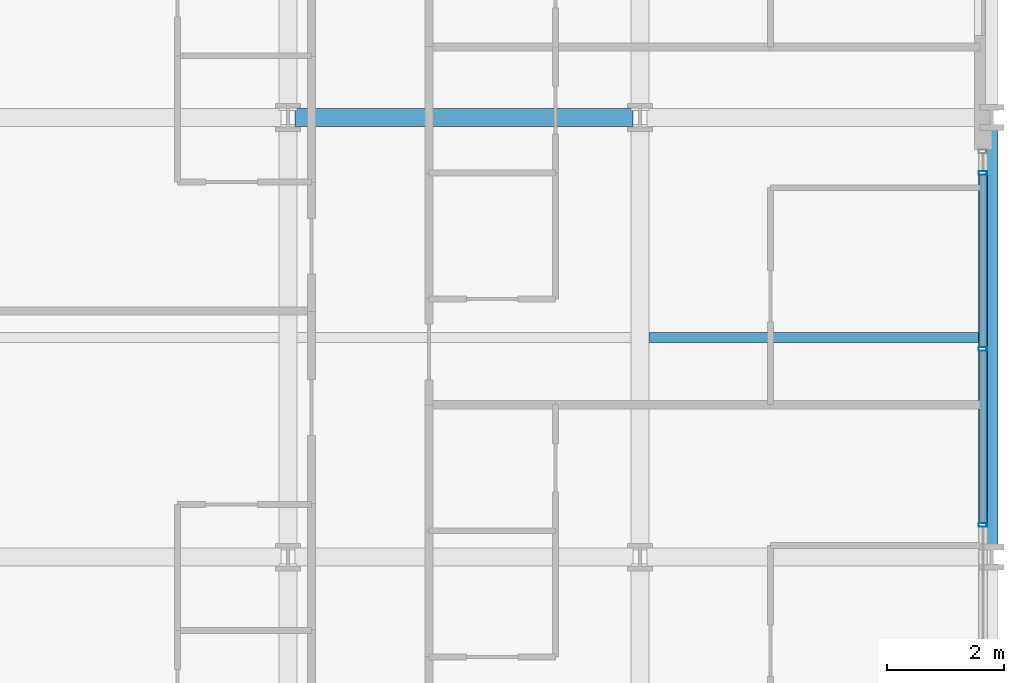
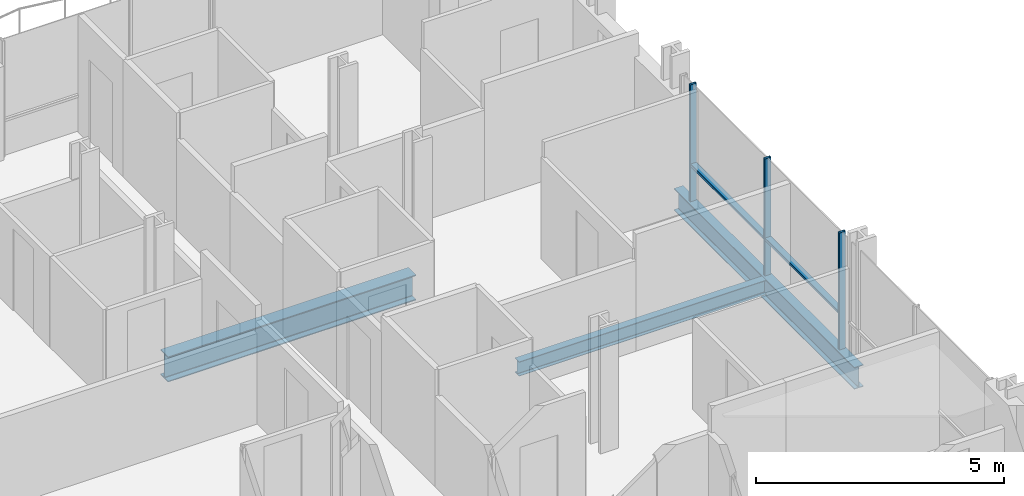
# One storey, part 19 of 40: 5 members, 3 beams, 1 element without a shape of its own.
"""IFC4 building model written with IfcOpenShell, lengths in metres."""

from ifc_helpers import new_model, si_unit, direction, frame, origin, origin_2d, place, context, subcontext, project, spatial, hollow_rectangle, i_section, extrude, material, layer, layer_set, material_profile, profile_set, type_object, element, aggregate, save


model = new_model("IFC4")

# Units and contexts
model_context = context("Model", 3, precision=1e-05, world=origin(), true_north=direction((0.0, 1.0)))
body_context = subcontext(model_context, "Body", "Model", "MODEL_VIEW")
ifc_project = project(units=[si_unit("LENGTHUNIT", "METRE"), si_unit("AREAUNIT", "SQUARE_METRE"), si_unit("VOLUMEUNIT", "CUBIC_METRE"), si_unit("PLANEANGLEUNIT", "RADIAN"), si_unit("MASSUNIT", "GRAM", prefix="KILO")], contexts=[model_context])

# Site, building, storey
site_placement = place(None, origin())
site = spatial("IfcSite", under=ifc_project, at=site_placement, CompositionType="ELEMENT")
building_placement = place(site_placement, origin())
building = spatial("IfcBuilding", under=site, at=building_placement, Name="Brevholm Reach", CompositionType="ELEMENT")
storey_placement = place(building_placement, frame((0.0, 0.0, 31.10009765625)))
storey = spatial("IfcBuildingStorey", under=building, at=storey_placement, Name="L07", CompositionType="ELEMENT", Elevation=31.10009765625)

# Beams
ifc_material_1 = material(Name="Structural Steel S355J2", Category="steel")
ifc_material_profile_1 = material_profile(ifc_material_1, i_section(OverallWidth=0.17138671875, OverallDepth=0.35498046875, WebThickness=0.00732421875, FlangeThickness=0.011474609375, FilletRadius=0.01025390625, at=origin_2d()), Name="UKB 356x171x51")
ifc_profile_set_1 = profile_set([ifc_material_profile_1], Name="Structural Steel S355J2")
beam_type_1 = type_object("IfcBeamType", Name="BM-B356", PredefinedType="BEAM", material=ifc_profile_set_1)
beam_1_placement = place(storey_placement, frame((54.153564453125, 19.75, -0.40771484375), z_axis=(1.0, 0.0, 0.0), x_axis=(0.0, 1.0, 0.0)))
element("IfcBeam", 1, at=beam_1_placement, inside=storey, type_object=beam_type_1, Name="L07 Composite Secondary Floor Beam", PredefinedType="BEAM", context=body_context, shape_type="SweptSolid", body=[
    extrude(i_section(OverallWidth=0.17138671875, OverallDepth=0.35498046875, WebThickness=0.00732421875, FlangeThickness=0.011474609375, FilletRadius=0.01025390625, at=origin_2d()), origin(), (0.0, 0.0, 1.0), 5.740966796875),
])
ifc_material_2 = material(Name="Structural Steel S355J2", Category="steel")
ifc_material_profile_2 = material_profile(ifc_material_2, i_section(OverallWidth=0.210693359375, OverallDepth=0.53955078125, WebThickness=0.01171875, FlangeThickness=0.018798828125, FilletRadius=0.0126953125, at=origin_2d()), Name="UKB 533x210x109")
ifc_profile_set_2 = profile_set([ifc_material_profile_2], Name="Structural Steel S355J2")
beam_type_2 = type_object("IfcBeamType", Name="BM-SP539", PredefinedType="SPANDREL", material=ifc_profile_set_2)
beam_2_placement = place(storey_placement, frame((60.0, 16.1201171875, -0.499755859375), z_axis=(0.0, 1.0, 0.0), x_axis=(-1.0, 0.0, 0.0)))
element("IfcBeam", 2, at=beam_2_placement, inside=storey, type_object=beam_type_2, Name="L07 SP-01B Framing Beam", PredefinedType="SPANDREL", context=body_context, shape_type="SweptSolid", body=[
    extrude(i_section(OverallWidth=0.210693359375, OverallDepth=0.53955078125, WebThickness=0.01171875, FlangeThickness=0.018798828125, FilletRadius=0.0126953125, at=origin_2d()), origin(), (0.0, 0.0, 1.0), 7.259765625),
])
ifc_material_3 = material(Name="Structural Steel S355J2", Category="steel")
ifc_material_profile_3 = material_profile(ifc_material_3, i_section(OverallWidth=0.30712890625, OverallDepth=0.6201171875, WebThickness=0.01416015625, FlangeThickness=0.023681640625, FilletRadius=0.0166015625, at=origin_2d()), Name="UKB 610x305x179")
ifc_profile_set_3 = profile_set([ifc_material_profile_3], Name="Structural Steel S355J2")
beam_type_3 = type_object("IfcBeamType", Name="BM-UKB610H", PredefinedType="USERDEFINED", material=ifc_profile_set_3)
beam_3_placement = place(storey_placement, frame((48.1201171875, 23.5, -0.540283203125), z_axis=(1.0, 0.0, 0.0), x_axis=(0.0, 1.0, 0.0)))
element("IfcBeam", 3, at=beam_3_placement, inside=storey, type_object=beam_type_3, Name="L07 G-06 Framing Beam", ObjectType="GIRDER", PredefinedType="USERDEFINED", context=body_context, shape_type="SweptSolid", body=[
    extrude(i_section(OverallWidth=0.30712890625, OverallDepth=0.6201171875, WebThickness=0.01416015625, FlangeThickness=0.023681640625, FilletRadius=0.0166015625, at=origin_2d()), origin(), (0.0, 0.0, 1.0), 5.759765625),
])

# Curtain wall, members
ifc_material_4 = material(Name="Dark Anodised Aluminium 6063-T6 and Solar-Control Glass", Category="aluminium")
ifc_layer = layer(ifc_material_4, 0.14990234375)
ifc_layer_set = layer_set([ifc_layer], Name="Dark Anodised Aluminium 6063-T6 and Solar-Control Glass")
curtain_wall_type = type_object("IfcCurtainWallType", Name="CW-01", PredefinedType="NOTDEFINED", material=ifc_layer_set)
curtain_wall_placement = place(storey_placement, origin())
curtain_wall = element("IfcCurtainWall", 4, at=curtain_wall_placement, inside=storey, type_object=curtain_wall_type, Name="L07 Curtain Wall CW-01", PredefinedType="NOTDEFINED")
ifc_material_5 = material(Name="Dark Anodised Aluminium 6063-T6", Category="aluminium")
ifc_material_profile_4 = material_profile(ifc_material_5, hollow_rectangle(XDim=0.06494140625, YDim=0.14990234375, WallThickness=0.0048828125, InnerFilletRadius=0.0048828125, OuterFilletRadius=0.010009765625, at=origin_2d()), Name="RHS 150x65x5")
ifc_profile_set_4 = profile_set([ifc_material_profile_4], Name="Dark Anodised Aluminium 6063-T6")
member_type_1 = type_object("IfcMemberType", Name="CWM-150", PredefinedType="MULLION", material=ifc_profile_set_4)
member_1_placement = place(storey_placement, frame((59.85009765625, 16.550048828125, 0.0), z_axis=(0.0, 0.0, 1.0), x_axis=(0.0, 1.0, 0.0)))
member_1 = element("IfcMember", 5, at=member_1_placement, type_object=member_type_1, Name="CM-150 Mullion 3", PredefinedType="MULLION", context=body_context, shape_type="SweptSolid", body=[
    extrude(hollow_rectangle(XDim=0.06494140625, YDim=0.14990234375, WallThickness=0.0048828125, InnerFilletRadius=0.0048828125, OuterFilletRadius=0.010009765625, at=origin_2d()), origin(), (0.0, 0.0, 1.0), 2.869873046875),
])
member_2_placement = place(storey_placement, frame((59.85009765625, 19.550048828125, 0.0), z_axis=(0.0, 0.0, 1.0), x_axis=(0.0, 1.0, 0.0)))
member_2 = element("IfcMember", 6, at=member_2_placement, type_object=member_type_1, Name="CM-150 Mullion 4", PredefinedType="MULLION", context=body_context, shape_type="SweptSolid", body=[
    extrude(hollow_rectangle(XDim=0.06494140625, YDim=0.14990234375, WallThickness=0.0048828125, InnerFilletRadius=0.0048828125, OuterFilletRadius=0.010009765625, at=origin_2d()), origin(), (0.0, 0.0, 1.0), 2.869873046875),
])
member_3_placement = place(storey_placement, frame((59.85009765625, 22.550048828125, 0.0), z_axis=(0.0, 0.0, 1.0), x_axis=(0.0, 1.0, 0.0)))
member_3 = element("IfcMember", 7, at=member_3_placement, type_object=member_type_1, Name="CM-150 Mullion 5", PredefinedType="MULLION", context=body_context, shape_type="SweptSolid", body=[
    extrude(hollow_rectangle(XDim=0.06494140625, YDim=0.14990234375, WallThickness=0.0048828125, InnerFilletRadius=0.0048828125, OuterFilletRadius=0.010009765625, at=origin_2d()), origin(), (0.0, 0.0, 1.0), 2.869873046875),
])
ifc_material_6 = material(Name="Dark Anodised Aluminium 6063-T6", Category="aluminium")
ifc_material_profile_5 = material_profile(ifc_material_6, hollow_rectangle(XDim=0.06494140625, YDim=0.14990234375, WallThickness=0.0048828125, InnerFilletRadius=0.0048828125, OuterFilletRadius=0.010009765625, at=origin_2d()), Name="RHS 150x65x5")
ifc_profile_set_5 = profile_set([ifc_material_profile_5], Name="Dark Anodised Aluminium 6063-T6")
member_type_2 = type_object("IfcMemberType", Name="CWT-150", PredefinedType="NOTDEFINED", material=ifc_profile_set_5)
member_4_placement = place(storey_placement, frame((59.85009765625, 16.58251953125, 0.89990234375), z_axis=(0.0, 1.0, 0.0), x_axis=(0.0, 0.0, 1.0)))
member_4 = element("IfcMember", 8, at=member_4_placement, type_object=member_type_2, Name="CT-150 Transom 3.1", ObjectType="TRANSOM", PredefinedType="USERDEFINED", context=body_context, shape_type="SweptSolid", body=[
    extrude(hollow_rectangle(XDim=0.06494140625, YDim=0.14990234375, WallThickness=0.0048828125, InnerFilletRadius=0.0048828125, OuterFilletRadius=0.010009765625, at=origin_2d()), origin(), (0.0, 0.0, 1.0), 2.93505859375),
])
member_5_placement = place(storey_placement, frame((59.85009765625, 19.58251953125, 0.89990234375), z_axis=(0.0, 1.0, 0.0), x_axis=(0.0, 0.0, 1.0)))
member_5 = element("IfcMember", 9, at=member_5_placement, type_object=member_type_2, Name="CT-150 Transom 4.1", ObjectType="TRANSOM", PredefinedType="USERDEFINED", context=body_context, shape_type="SweptSolid", body=[
    extrude(hollow_rectangle(XDim=0.06494140625, YDim=0.14990234375, WallThickness=0.0048828125, InnerFilletRadius=0.0048828125, OuterFilletRadius=0.010009765625, at=origin_2d()), origin(), (0.0, 0.0, 1.0), 2.93505859375),
])
aggregate(curtain_wall, [member_1, member_2, member_3, member_4, member_5])

save(model, "model.ifc")
